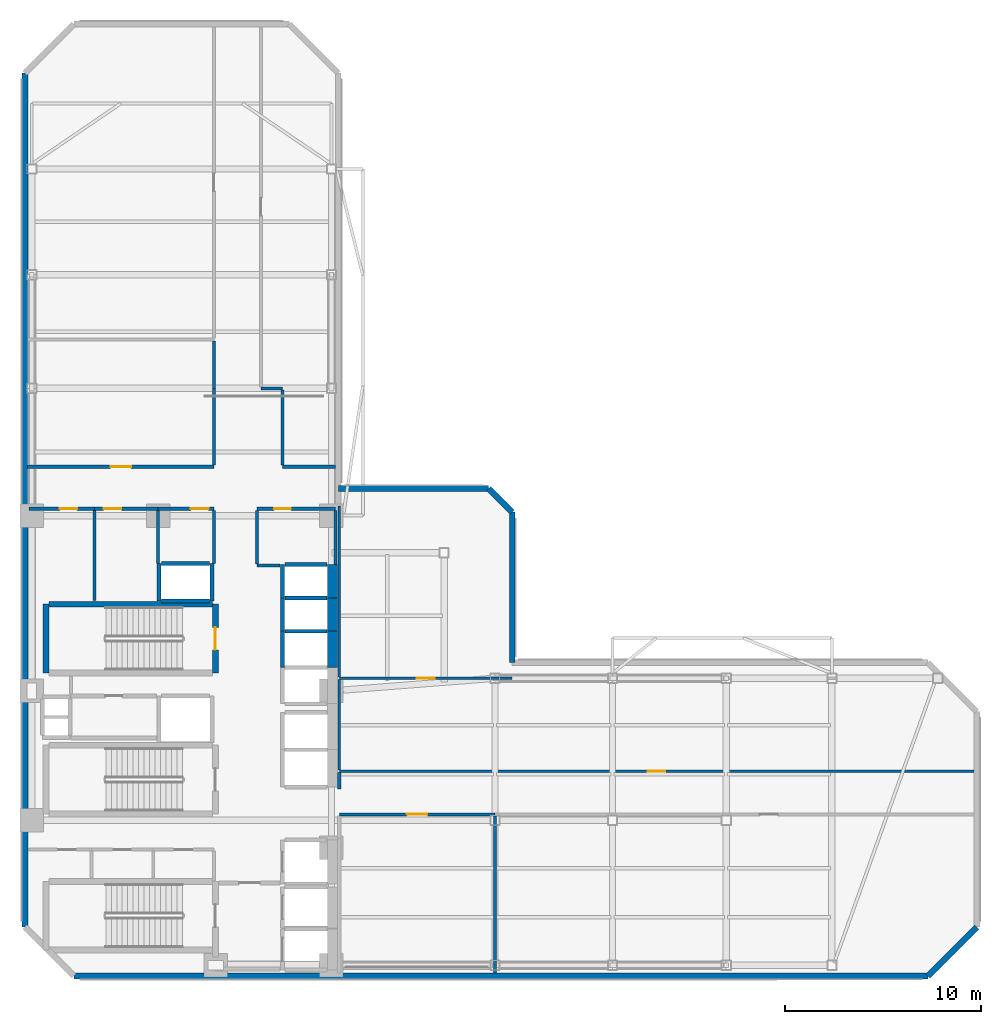
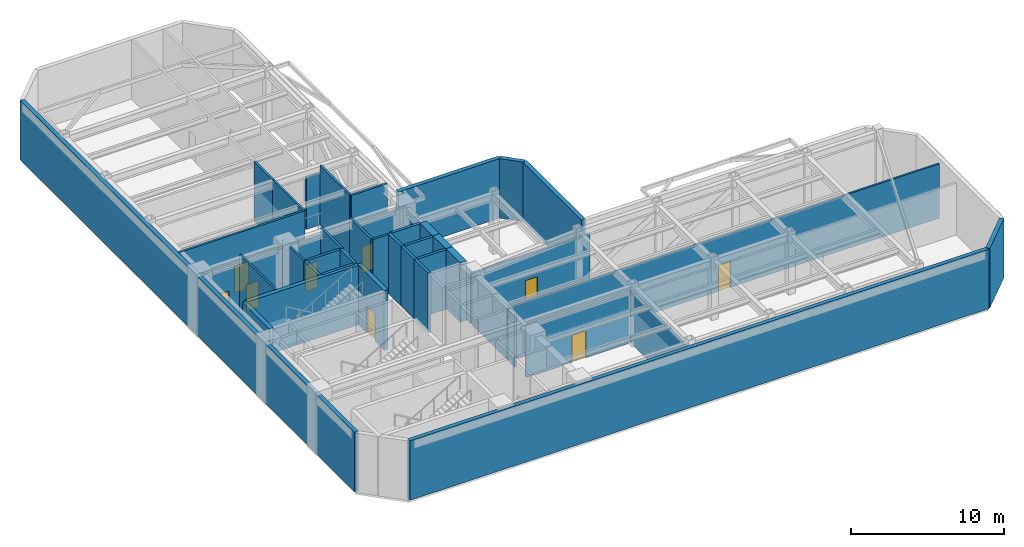
# One storey, part 4 of 9: 45 walls, 9 doors, 9 openings.
"""IFC4 building model written with IfcOpenShell, lengths in metres."""

from ifc_helpers import new_model, si_unit, direction, frame, frame_2d, origin, place, context, subcontext, project, spatial, rectangle, extrude, material, layer, layer_set, type_object, element, fill, save


model = new_model("IFC4")

# Units and contexts
model_context = context("Model", 3, precision=1e-05, world=origin(), true_north=direction((0.0, 1.0)))
body_context = subcontext(model_context, "Body", "Model", "MODEL_VIEW")
ifc_project = project(units=[si_unit("LENGTHUNIT", "METRE"), si_unit("AREAUNIT", "SQUARE_METRE"), si_unit("VOLUMEUNIT", "CUBIC_METRE"), si_unit("PLANEANGLEUNIT", "RADIAN"), si_unit("MASSUNIT", "GRAM", prefix="KILO")], contexts=[model_context])

# Site, building, storey
site_placement = place(None, origin())
site = spatial("IfcSite", under=ifc_project, at=site_placement, CompositionType="ELEMENT")
building_placement = place(site_placement, origin())
building = spatial("IfcBuilding", under=site, at=building_placement, Name="Mawjaban Terraces University", CompositionType="ELEMENT")
storey_placement = place(building_placement, frame((0.0, 0.0, 165.800048828125)))
storey = spatial("IfcBuildingStorey", under=building, at=storey_placement, Name="L40", CompositionType="ELEMENT", Elevation=165.800048828125)

# Walls
ifc_material_1 = material(Name="Concrete C60/75", Category="concrete")
ifc_layer_1 = layer(ifc_material_1, 0.5)
ifc_layer_set_1 = layer_set([ifc_layer_1], Name="Concrete C60/75")
wall_type_1 = type_object("IfcWallType", Name="CoreShearWall_500", PredefinedType="SHEAR", material=ifc_layer_set_1)
wall_1_placement = place(storey_placement, frame((37.699951171875, 15.75, 0.0), z_axis=(0.0, 0.0, 1.0), x_axis=(0.0, 1.0, 0.0)))
element("IfcWall", 1, at=wall_1_placement, inside=storey, type_object=wall_type_1, Name="L40 Lift OL-2 Hoistway Wall East", PredefinedType="SHEAR", context=body_context, shape_type="SweptSolid", body=[
    extrude(rectangle(XDim=1.85009765625, YDim=0.5, at=frame_2d((0.925048828125, 0.0))), origin(), (0.0, 0.0, 1.0), 4.739990234375),
])
for number, where, z_axis, x_axis, name in (
    (2, (37.699951171875, 17.60009765625, 0.0), (0.0, 0.0, 1.0), (0.0, 1.0, 0.0), "L40 Lift PL-M1 Hoistway Wall East"),
    (3, (37.699951171875, 19.300048828125, 0.0), (0.0, 0.0, 1.0), (0.0, 1.0, 0.0), "L40 Lift PL-M2 Hoistway Wall East"),
):
    element("IfcWall", number, at=place(storey_placement, frame(where, z_axis=z_axis, x_axis=x_axis)), inside=storey, type_object=wall_type_1, Name=name, PredefinedType="SHEAR", context=body_context, shape_type="SweptSolid", body=[
        extrude(rectangle(XDim=1.699951171875, YDim=0.5, at=frame_2d((0.85009765625, 0.0))), origin(), (0.0, 0.0, 1.0), 4.739990234375),
    ])

# Wall, opening, door
ifc_material_2 = material(Name="Fire-rated gypsum board on steel stud", Category="steel")
ifc_layer_2 = layer(ifc_material_2, 0.159912109375)
ifc_layer_set_2 = layer_set([ifc_layer_2], Name="Fire-rated gypsum board on steel stud")
wall_type_2 = type_object("IfcWallType", Name="CorridorPartition_160", PredefinedType="PARTITIONING", material=ifc_layer_set_2)
wall_2_placement = place(storey_placement, frame((25.550048828125, 23.85009765625, 0.0), z_axis=(0.0, 0.0, 1.0), x_axis=(-1.0, 0.0, 0.0)))
wall_2 = element("IfcWall", 4, at=wall_2_placement, inside=storey, type_object=wall_type_2, Name="L40 Ablution Room Partition 5", PredefinedType="PARTITIONING", context=body_context, shape_type="SweptSolid", body=[
    extrude(rectangle(XDim=3.35009765625, YDim=0.159912109375, at=frame_2d((1.675048828125, 0.0))), origin(), (0.0, 0.0, 1.0), 4.1240234375),
])
opening_1_placement = place(wall_2_placement, frame((0.885009765625, 0.0, 0.0)))
opening_1 = element("IfcOpeningElement", 5, at=opening_1_placement, cuts=wall_2, Name="Opening ID-088", PredefinedType="OPENING", context=body_context, shape_type="SweptSolid", body=[
    extrude(rectangle(XDim=0.8798828125, YDim=2.10009765625, at=frame_2d((0.43994140625, 1.050048828125))), frame((0.0, 0.08984375, 0.0), z_axis=(0.0, -1.0, 0.0), x_axis=(1.0, 0.0, 0.0)), (0.0, 0.0, 1.0), 0.179931640625),
])
ifc_material_3 = material(Name="Powder-coated steel frame and solid acoustic timber leaf", Category="steel")
door_type_1 = type_object("IfcDoorType", Name="ToiletDoor_880x2100", OperationType="NOTDEFINED", PredefinedType="DOOR", material=ifc_material_3)
door_1_placement = place(opening_1_placement, origin())
door_1 = element("IfcDoor", 6, at=door_1_placement, inside=storey, type_object=door_type_1, Name="L40 Ablution Room Door", OperationType="SINGLE_SWING_LEFT", OverallHeight=2.10009765625, OverallWidth=0.8798828125, PredefinedType="DOOR", context=body_context, shape_type="SweptSolid", body=[
    extrude(rectangle(XDim=0.8798828125, YDim=2.10009765625, at=frame_2d((0.43994140625, 1.050048828125))), frame((0.0, 0.02490234375, 0.0), z_axis=(0.0, -1.0, 0.0), x_axis=(1.0, 0.0, 0.0)), (0.0, 0.0, 1.0), 0.050048828125),
])
fill(opening_1, door_1)

wall_3_placement = place(storey_placement, frame((28.800048828125, 23.85009765625, 0.0), z_axis=(0.0, 0.0, 1.0), x_axis=(-1.0, 0.0, 0.0)))
wall_3 = element("IfcWall", 7, at=wall_3_placement, inside=storey, type_object=wall_type_2, Name="L40 Cleaner Store Partition 7", PredefinedType="PARTITIONING", context=body_context, shape_type="SweptSolid", body=[
    extrude(rectangle(XDim=3.25, YDim=0.159912109375, at=frame_2d((1.625, 0.0))), origin(), (0.0, 0.0, 1.0), 4.1240234375),
])
opening_2_placement = place(wall_3_placement, frame((1.875, 0.0, 0.0)))
opening_2 = element("IfcOpeningElement", 8, at=opening_2_placement, cuts=wall_3, Name="Opening ID-090", PredefinedType="OPENING", context=body_context, shape_type="SweptSolid", body=[
    extrude(rectangle(XDim=0.89990234375, YDim=2.10009765625, at=frame_2d((0.449951171875, 1.050048828125))), frame((0.0, 0.08984375, 0.0), z_axis=(0.0, -1.0, 0.0), x_axis=(1.0, 0.0, 0.0)), (0.0, 0.0, 1.0), 0.179931640625),
])
door_type_2 = type_object("IfcDoorType", Name="OfficeDoor_900x2100", OperationType="NOTDEFINED", PredefinedType="DOOR", material=ifc_material_3)
door_2_placement = place(opening_2_placement, origin())
door_2 = element("IfcDoor", 9, at=door_2_placement, inside=storey, type_object=door_type_2, Name="L40 Cleaner Store Door", OperationType="SINGLE_SWING_RIGHT", OverallHeight=2.10009765625, OverallWidth=0.89990234375, PredefinedType="DOOR", context=body_context, shape_type="SweptSolid", body=[
    extrude(rectangle(XDim=0.89990234375, YDim=2.10009765625, at=frame_2d((0.449951171875, 1.050048828125))), frame((0.0, 0.02490234375, 0.0), z_axis=(0.0, -1.0, 0.0), x_axis=(1.0, 0.0, 0.0)), (0.0, 0.0, 1.0), 0.050048828125),
])
fill(opening_2, door_2)

wall_4_placement = place(storey_placement, frame((31.64990234375, 23.85009765625, 0.0), z_axis=(0.0, 0.0, 1.0), x_axis=(-1.0, 0.0, 0.0)))
wall_4 = element("IfcWall", 10, at=wall_4_placement, inside=storey, type_object=wall_type_2, Name="L40 Control Telemetry Plant Room Partition 9", PredefinedType="PARTITIONING", context=body_context, shape_type="SweptSolid", body=[
    extrude(rectangle(XDim=2.849853515625, YDim=0.159912109375, at=frame_2d((1.4248046875, 0.0))), origin(), (0.0, 0.0, 1.0), 4.1240234375),
])
opening_3_placement = place(wall_4_placement, frame((0.27490234375, 0.0, 0.0)))
opening_3 = element("IfcOpeningElement", 11, at=opening_3_placement, cuts=wall_4, Name="Opening ID-090", PredefinedType="OPENING", context=body_context, shape_type="SweptSolid", body=[
    extrude(rectangle(XDim=0.89990234375, YDim=2.10009765625, at=frame_2d((0.449951171875, 1.050048828125))), frame((0.0, 0.08984375, 0.0), z_axis=(0.0, -1.0, 0.0), x_axis=(1.0, 0.0, 0.0)), (0.0, 0.0, 1.0), 0.179931640625),
])
door_3_placement = place(opening_3_placement, origin())
door_3 = element("IfcDoor", 12, at=door_3_placement, inside=storey, type_object=door_type_2, Name="L40 Control Telemetry Plant Room Door", OperationType="SINGLE_SWING_RIGHT", OverallHeight=2.10009765625, OverallWidth=0.89990234375, PredefinedType="DOOR", context=body_context, shape_type="SweptSolid", body=[
    extrude(rectangle(XDim=0.89990234375, YDim=2.10009765625, at=frame_2d((0.449951171875, 1.050048828125))), frame((0.0, 0.02490234375, 0.0), z_axis=(0.0, -1.0, 0.0), x_axis=(1.0, 0.0, 0.0)), (0.0, 0.0, 1.0), 0.050048828125),
])
fill(opening_3, door_3)

wall_5_placement = place(storey_placement, frame((31.64990234375, 26.0, 0.0), z_axis=(0.0, 0.0, 1.0), x_axis=(-1.0, 0.0, 0.0)))
wall_5 = element("IfcWall", 13, at=wall_5_placement, inside=storey, type_object=wall_type_2, Name="L40 North Core Cross-Corridor Partition 10", PredefinedType="PARTITIONING", context=body_context, shape_type="SweptSolid", body=[
    extrude(rectangle(XDim=9.5048828125, YDim=0.159912109375, at=frame_2d((4.75244140625, 0.0))), origin(), (0.0, 0.0, 1.0), 4.739990234375),
])
opening_4_placement = place(wall_5_placement, frame((4.22705078125, 0.0, 0.0)))
opening_4 = element("IfcOpeningElement", 14, at=opening_4_placement, cuts=wall_5, Name="Opening FD-105", PredefinedType="OPENING", context=body_context, shape_type="SweptSolid", body=[
    extrude(rectangle(XDim=1.050048828125, YDim=2.14990234375, at=frame_2d((0.52490234375, 1.074951171875))), frame((0.0, 0.08984375, 0.0), z_axis=(0.0, -1.0, 0.0), x_axis=(1.0, 0.0, 0.0)), (0.0, 0.0, 1.0), 0.179931640625),
])
ifc_material_4 = material(Name="Powder-coated steel frame and fire-rated steel-faced leaf", Category="steel")
door_type_3 = type_object("IfcDoorType", Name="FireLobbyDoor_1050x2150", OperationType="NOTDEFINED", PredefinedType="DOOR", material=ifc_material_4)
door_4_placement = place(opening_4_placement, origin())
door_4 = element("IfcDoor", 15, at=door_4_placement, inside=storey, type_object=door_type_3, Name="L40 Designated Smoke-Protected Refuge Area North Door", OperationType="SINGLE_SWING_RIGHT", OverallHeight=2.14990234375, OverallWidth=1.050048828125, PredefinedType="DOOR", context=body_context, shape_type="SweptSolid", body=[
    extrude(rectangle(XDim=1.050048828125, YDim=2.14990234375, at=frame_2d((0.52490234375, 1.074951171875))), frame((0.0, 0.02490234375, 0.0), z_axis=(0.0, -1.0, 0.0), x_axis=(1.0, 0.0, 0.0)), (0.0, 0.0, 1.0), 0.050048828125),
])
fill(opening_4, door_4)

# Walls
wall_6_placement = place(storey_placement, frame((35.02001953125, 20.949951171875, 0.0), z_axis=(0.0, 0.0, 1.0), x_axis=(-1.0, 0.0, 0.0)))
element("IfcWall", 16, at=wall_6_placement, inside=storey, type_object=wall_type_2, Name="L40 Passenger Lift Lobby Partition 13", PredefinedType="PARTITIONING", context=body_context, shape_type="SweptSolid", body=[
    extrude(rectangle(XDim=1.169921875, YDim=0.159912109375, at=frame_2d((0.5849609375, 0.0))), origin(), (0.0, 0.0, 1.0), 4.739990234375),
])
wall_7_placement = place(storey_placement, frame((35.14990234375, 30.0, 0.0), z_axis=(0.0, 0.0, 1.0), x_axis=(-1.0, 0.0, 0.0)))
element("IfcWall", 17, at=wall_7_placement, inside=storey, type_object=wall_type_2, Name="L40 North Stair Refuge Vestibule Lobby Partition 14", PredefinedType="PARTITIONING", context=body_context, shape_type="SweptSolid", body=[
    extrude(rectangle(XDim=1.099853515625, YDim=0.159912109375, at=frame_2d((0.5498046875, 0.0))), origin(), (0.0, 0.0, 1.0), 4.1240234375),
])

# Wall, opening, door
wall_8_placement = place(storey_placement, frame((37.85009765625, 23.85009765625, 0.0), z_axis=(0.0, 0.0, 1.0), x_axis=(-1.0, 0.0, 0.0)))
wall_8 = element("IfcWall", 18, at=wall_8_placement, inside=storey, type_object=wall_type_2, Name="L40 Mechanical Chilled Water Riser Room Partition 15", PredefinedType="PARTITIONING", context=body_context, shape_type="SweptSolid", body=[
    extrude(rectangle(XDim=4.0, YDim=0.159912109375, at=frame_2d((2.0, 0.0))), origin(), (0.0, 0.0, 1.0), 4.1240234375),
])
opening_5_placement = place(wall_8_placement, frame((2.27490234375, 0.0, 0.0)))
opening_5 = element("IfcOpeningElement", 19, at=opening_5_placement, cuts=wall_8, Name="Opening FD-085", PredefinedType="OPENING", context=body_context, shape_type="SweptSolid", body=[
    extrude(rectangle(XDim=0.85009765625, YDim=2.10009765625, at=frame_2d((0.425048828125, 1.050048828125))), frame((0.0, 0.08984375, 0.0), z_axis=(0.0, -1.0, 0.0), x_axis=(1.0, 0.0, 0.0)), (0.0, 0.0, 1.0), 0.179931640625),
])
door_type_4 = type_object("IfcDoorType", Name="FireRiserDoor_850x2100", OperationType="NOTDEFINED", PredefinedType="DOOR", material=ifc_material_4)
door_5_placement = place(opening_5_placement, origin())
door_5 = element("IfcDoor", 20, at=door_5_placement, inside=storey, type_object=door_type_4, Name="L40 Mechanical Chilled Water Riser Room Door", OperationType="SINGLE_SWING_LEFT", OverallHeight=2.10009765625, OverallWidth=0.85009765625, PredefinedType="DOOR", context=body_context, shape_type="SweptSolid", body=[
    extrude(rectangle(XDim=0.85009765625, YDim=2.10009765625, at=frame_2d((0.425048828125, 1.050048828125))), frame((0.0, 0.02490234375, 0.0), z_axis=(0.0, -1.0, 0.0), x_axis=(1.0, 0.0, 0.0)), (0.0, 0.0, 1.0), 0.050048828125),
])
fill(opening_5, door_5)

# Wall
wall_9_placement = place(storey_placement, frame((37.85498046875, 26.0, 0.0), z_axis=(0.0, 0.0, 1.0), x_axis=(-1.0, 0.0, 0.0)))
element("IfcWall", 21, at=wall_9_placement, inside=storey, type_object=wall_type_2, Name="L40 North Core Cross-Corridor Partition 16", PredefinedType="PARTITIONING", context=body_context, shape_type="SweptSolid", body=[
    extrude(rectangle(XDim=2.705078125, YDim=0.159912109375, at=frame_2d((1.3525390625, 0.0))), origin(), (0.0, 0.0, 1.0), 4.739990234375),
])

# Wall, opening, door
wall_10_placement = place(storey_placement, frame((46.0, 8.25, 0.0), z_axis=(0.0, 0.0, 1.0), x_axis=(-1.0, 0.0, 0.0)))
wall_10 = element("IfcWall", 22, at=wall_10_placement, inside=storey, type_object=wall_type_2, Name="L40 Designated Smoke-Protected Refuge Area East Partition 17", PredefinedType="PARTITIONING", context=body_context, shape_type="SweptSolid", body=[
    extrude(rectangle(XDim=7.949951171875, YDim=0.159912109375, at=frame_2d((3.97509765625, 0.0))), origin(), (0.0, 0.0, 1.0), 4.1240234375),
])
opening_6_placement = place(wall_10_placement, frame((3.449951171875, 0.0, 0.0)))
opening_6 = element("IfcOpeningElement", 23, at=opening_6_placement, cuts=wall_10, Name="Opening FD-105", PredefinedType="OPENING", context=body_context, shape_type="SweptSolid", body=[
    extrude(rectangle(XDim=1.050048828125, YDim=2.14990234375, at=frame_2d((0.52490234375, 1.074951171875))), frame((0.0, 0.08984375, 0.0), z_axis=(0.0, -1.0, 0.0), x_axis=(1.0, 0.0, 0.0)), (0.0, 0.0, 1.0), 0.179931640625),
])
door_6_placement = place(opening_6_placement, origin())
door_6 = element("IfcDoor", 24, at=door_6_placement, inside=storey, type_object=door_type_3, Name="L40 Designated Smoke-Protected Refuge Area East Door", OperationType="SINGLE_SWING_LEFT", OverallHeight=2.14990234375, OverallWidth=1.050048828125, PredefinedType="DOOR", context=body_context, shape_type="SweptSolid", body=[
    extrude(rectangle(XDim=1.050048828125, YDim=2.14990234375, at=frame_2d((0.52490234375, 1.074951171875))), frame((0.0, 0.02490234375, 0.0), z_axis=(0.0, -1.0, 0.0), x_axis=(1.0, 0.0, 0.0)), (0.0, 0.0, 1.0), 0.050048828125),
])
fill(opening_6, door_6)

# Walls
wall_11_placement = place(storey_placement, frame((31.64990234375, 23.77490234375, 0.0), z_axis=(0.0, 0.0, 1.0), x_axis=(0.0, -1.0, 0.0)))
element("IfcWall", 25, at=wall_11_placement, inside=storey, type_object=wall_type_2, Name="L40 Core North Lift Lobby Partition 28", PredefinedType="PARTITIONING", context=body_context, shape_type="SweptSolid", body=[
    extrude(rectangle(XDim=2.724853515625, YDim=0.159912109375, at=frame_2d((1.3623046875, 0.0))), origin(), (0.0, 0.0, 1.0), 4.739990234375),
])
wall_12_placement = place(storey_placement, frame((31.64990234375, 30.0, 0.0), z_axis=(0.0, 0.0, 1.0), x_axis=(0.0, -1.0, 0.0)))
element("IfcWall", 26, at=wall_12_placement, inside=storey, type_object=wall_type_2, Name="L40 North Stair Refuge Vestibule Lobby Partition 29", PredefinedType="PARTITIONING", context=body_context, shape_type="SweptSolid", body=[
    extrude(rectangle(XDim=3.925048828125, YDim=0.159912109375, at=frame_2d((1.96240234375, 0.0))), origin(), (0.0, 0.0, 1.0), 4.739990234375),
])
wall_13_placement = place(storey_placement, frame((31.64990234375, 30.0, 0.0), z_axis=(0.0, 0.0, 1.0), x_axis=(0.0, 1.0, 0.0)))
element("IfcWall", 27, at=wall_13_placement, inside=storey, type_object=wall_type_2, Name="L40 Designated Smoke-Protected Refuge Area North Partition 30", PredefinedType="PARTITIONING", context=body_context, shape_type="SweptSolid", body=[
    extrude(rectangle(XDim=2.425048828125, YDim=0.159912109375, at=frame_2d((1.21240234375, 0.0))), origin(), (0.0, 0.0, 1.0), 4.739990234375),
])
wall_14_placement = place(storey_placement, frame((33.85009765625, 21.02490234375, 0.0), z_axis=(0.0, 0.0, 1.0), x_axis=(0.0, 1.0, 0.0)))
element("IfcWall", 28, at=wall_14_placement, inside=storey, type_object=wall_type_2, Name="L40 Core North Lift Lobby Partition 32", PredefinedType="PARTITIONING", context=body_context, shape_type="SweptSolid", body=[
    extrude(rectangle(XDim=2.75, YDim=0.159912109375, at=frame_2d((1.375, 0.0))), origin(), (0.0, 0.0, 1.0), 4.739990234375),
])
wall_15_placement = place(storey_placement, frame((35.14990234375, 26.074951171875, 0.0), z_axis=(0.0, 0.0, 1.0), x_axis=(0.0, 1.0, 0.0)))
element("IfcWall", 29, at=wall_15_placement, inside=storey, type_object=wall_type_2, Name="L40 North Stair Refuge Vestibule Lobby Partition 34", PredefinedType="PARTITIONING", context=body_context, shape_type="SweptSolid", body=[
    extrude(rectangle(XDim=3.85009765625, YDim=0.159912109375, at=frame_2d((1.925048828125, 0.0))), origin(), (0.0, 0.0, 1.0), 4.739990234375),
])
wall_16_placement = place(storey_placement, frame((37.85009765625, 21.0, 0.0), z_axis=(0.0, 0.0, 1.0), x_axis=(0.0, 1.0, 0.0)))
element("IfcWall", 30, at=wall_16_placement, inside=storey, type_object=wall_type_2, Name="L40 Mechanical Chilled Water Riser Room Partition 35", PredefinedType="PARTITIONING", context=body_context, shape_type="SweptSolid", body=[
    extrude(rectangle(XDim=2.77490234375, YDim=0.159912109375, at=frame_2d((1.387451171875, 0.0))), origin(), (0.0, 0.0, 1.0), 4.1240234375),
])
wall_17_placement = place(storey_placement, frame((38.050048828125, 10.382080078125, 0.0), z_axis=(0.0, 0.0, 1.0), x_axis=(0.0, -1.0, 0.0)))
element("IfcWall", 31, at=wall_17_placement, inside=storey, type_object=wall_type_2, Name="L40 Mechanical Plant Service Corridor East Partition 38", PredefinedType="PARTITIONING", context=body_context, shape_type="SweptSolid", body=[
    extrude(rectangle(XDim=0.83203125, YDim=0.159912109375, at=frame_2d((0.416015625, 0.0))), origin(), (0.0, 0.0, 1.0), 4.1240234375),
])
wall_18_placement = place(storey_placement, frame((46.0, 0.14501953125, 0.0), z_axis=(0.0, 0.0, 1.0), x_axis=(0.0, 1.0, 0.0)))
element("IfcWall", 32, at=wall_18_placement, inside=storey, type_object=wall_type_2, Name="L40 Designated Smoke-Protected Refuge Area East Partition 41", PredefinedType="PARTITIONING", context=body_context, shape_type="SweptSolid", body=[
    extrude(rectangle(XDim=8.030029296875, YDim=0.159912109375, at=frame_2d((4.01513671875, 0.0))), origin(), (0.0, 0.0, 1.0), 4.1240234375),
])
ifc_material_5 = material(Name="Insulated terracotta rainscreen on concrete backup C40/50", Category="masonry")
ifc_layer_3 = layer(ifc_material_5, 0.300048828125)
ifc_layer_set_3 = layer_set([ifc_layer_3], Name="Insulated terracotta rainscreen on concrete backup C40/50")
wall_type_3 = type_object("IfcWallType", Name="ExtTerracottaWall_300", PredefinedType="SOLIDWALL", material=ifc_layer_set_3)
wall_19_placement = place(storey_placement, frame((24.5, 0.0, 0.0), z_axis=(0.0, 0.0, 1.0), x_axis=(1.0, 0.0, 0.0)))
element("IfcWall", 33, at=wall_19_placement, inside=storey, type_object=wall_type_3, Name="L40 Exterior Terracotta Wall 1", PredefinedType="SOLIDWALL", context=body_context, shape_type="SweptSolid", body=[
    extrude(rectangle(XDim=43.60009765625, YDim=0.300048828125, at=frame_2d((21.800048828125, 0.0))), origin(), (0.0, 0.0, 1.0), 4.739990234375),
])
wall_20_placement = place(storey_placement, frame((68.10009765625, 0.0, 0.0), z_axis=(0.0, 0.0, 1.0), x_axis=(0.707106781187, 0.707106781187, 0.0)))
element("IfcWall", 34, at=wall_20_placement, inside=storey, type_object=wall_type_3, Name="L40 Exterior Terracotta Wall 2", PredefinedType="SOLIDWALL", context=body_context, shape_type="SweptSolid", body=[
    extrude(rectangle(XDim=3.53564453125, YDim=0.300048828125, at=frame_2d((1.767822265625, 0.0))), origin(), (0.0, 0.0, 1.0), 4.739990234375),
])
wall_21_placement = place(storey_placement, frame((46.8798828125, 16.0, 0.0), z_axis=(0.0, 0.0, 1.0), x_axis=(0.0, 1.0, 0.0)))
element("IfcWall", 35, at=wall_21_placement, inside=storey, type_object=wall_type_3, Name="L40 Exterior Terracotta Wall 6", PredefinedType="SOLIDWALL", context=body_context, shape_type="SweptSolid", body=[
    extrude(rectangle(XDim=7.679931640625, YDim=0.300048828125, at=frame_2d((3.83984375, 0.0))), origin(), (0.0, 0.0, 1.0), 4.739990234375),
])
wall_22_placement = place(storey_placement, frame((46.8798828125, 23.679931640625, 0.0), z_axis=(0.0, 0.0, 1.0), x_axis=(-0.707106781187, 0.707106781187, 0.0)))
element("IfcWall", 36, at=wall_22_placement, inside=storey, type_object=wall_type_3, Name="L40 Exterior Terracotta Wall 7", PredefinedType="SOLIDWALL", context=body_context, shape_type="SweptSolid", body=[
    extrude(rectangle(XDim=1.697021484375, YDim=0.300048828125, at=frame_2d((0.8486328125, 0.0))), origin(), (0.0, 0.0, 1.0), 4.739990234375),
])
wall_23_placement = place(storey_placement, frame((45.679931640625, 24.8798828125, 0.0), z_axis=(0.0, 0.0, 1.0), x_axis=(-1.0, 0.0, 0.0)))
element("IfcWall", 37, at=wall_23_placement, inside=storey, type_object=wall_type_3, Name="L40 Exterior Terracotta Wall 8", PredefinedType="SOLIDWALL", context=body_context, shape_type="SweptSolid", body=[
    extrude(rectangle(XDim=7.679931640625, YDim=0.300048828125, at=frame_2d((3.83984375, 0.0))), origin(), (0.0, 0.0, 1.0), 4.739990234375),
])
wall_24_placement = place(storey_placement, frame((22.0, 46.10009765625, 0.0), z_axis=(0.0, 0.0, 1.0), x_axis=(0.0, -1.0, 0.0)))
element("IfcWall", 38, at=wall_24_placement, inside=storey, type_object=wall_type_3, Name="L40 Exterior Terracotta Wall 13", PredefinedType="SOLIDWALL", context=body_context, shape_type="SweptSolid", body=[
    extrude(rectangle(XDim=43.60009765625, YDim=0.300048828125, at=frame_2d((21.800048828125, 0.0))), origin(), (0.0, 0.0, 1.0), 4.739990234375),
])
ifc_material_6 = material(Name="Concrete C40/50", Category="concrete")
ifc_layer_4 = layer(ifc_material_6, 0.199951171875)
ifc_layer_set_4 = layer_set([ifc_layer_4], Name="Concrete C40/50")
wall_type_4 = type_object("IfcWallType", Name="FireLobbyWall_200", PredefinedType="SOLIDWALL", material=ifc_layer_set_4)
wall_25_placement = place(storey_placement, frame((35.14990234375, 17.60009765625, 0.0), z_axis=(0.0, 0.0, 1.0), x_axis=(0.0, -1.0, 0.0)))
element("IfcWall", 39, at=wall_25_placement, inside=storey, type_object=wall_type_4, Name="L40 Lift OL-2 Hoistway Wall West", PredefinedType="SOLIDWALL", context=body_context, shape_type="SweptSolid", body=[
    extrude(rectangle(XDim=1.85009765625, YDim=0.199951171875, at=frame_2d((0.925048828125, 0.0))), origin(), (0.0, 0.0, 1.0), 4.739990234375),
])
wall_26_placement = place(storey_placement, frame((37.419921875, 17.60009765625, 0.0), z_axis=(0.0, 0.0, 1.0), x_axis=(-1.0, 0.0, 0.0)))
element("IfcWall", 40, at=wall_26_placement, inside=storey, type_object=wall_type_4, Name="L40 Lift OL-2 Hoistway Wall North", PredefinedType="SOLIDWALL", context=body_context, shape_type="SweptSolid", body=[
    extrude(rectangle(XDim=2.139892578125, YDim=0.199951171875, at=frame_2d((1.06982421875, 0.0))), origin(), (0.0, 0.0, 1.0), 4.739990234375),
])
wall_27_placement = place(storey_placement, frame((35.14990234375, 19.300048828125, 0.0), z_axis=(0.0, 0.0, 1.0), x_axis=(0.0, -1.0, 0.0)))
element("IfcWall", 41, at=wall_27_placement, inside=storey, type_object=wall_type_4, Name="L40 Lift PL-M1 Hoistway Wall West", PredefinedType="SOLIDWALL", context=body_context, shape_type="SweptSolid", body=[
    extrude(rectangle(XDim=1.699951171875, YDim=0.199951171875, at=frame_2d((0.85009765625, 0.0))), origin(), (0.0, 0.0, 1.0), 4.739990234375),
])
wall_28_placement = place(storey_placement, frame((37.419921875, 19.300048828125, 0.0), z_axis=(0.0, 0.0, 1.0), x_axis=(-1.0, 0.0, 0.0)))
element("IfcWall", 42, at=wall_28_placement, inside=storey, type_object=wall_type_4, Name="L40 Lift PL-M1 Hoistway Wall North", PredefinedType="SOLIDWALL", context=body_context, shape_type="SweptSolid", body=[
    extrude(rectangle(XDim=2.139892578125, YDim=0.199951171875, at=frame_2d((1.06982421875, 0.0))), origin(), (0.0, 0.0, 1.0), 4.739990234375),
])
wall_29_placement = place(storey_placement, frame((35.14990234375, 21.0, 0.0), z_axis=(0.0, 0.0, 1.0), x_axis=(0.0, -1.0, 0.0)))
element("IfcWall", 43, at=wall_29_placement, inside=storey, type_object=wall_type_4, Name="L40 Lift PL-M2 Hoistway Wall West", PredefinedType="SOLIDWALL", context=body_context, shape_type="SweptSolid", body=[
    extrude(rectangle(XDim=1.699951171875, YDim=0.199951171875, at=frame_2d((0.85009765625, 0.0))), origin(), (0.0, 0.0, 1.0), 4.739990234375),
])
wall_30_placement = place(storey_placement, frame((37.419921875, 21.0, 0.0), z_axis=(0.0, 0.0, 1.0), x_axis=(-1.0, 0.0, 0.0)))
element("IfcWall", 44, at=wall_30_placement, inside=storey, type_object=wall_type_4, Name="L40 Lift PL-M2 Hoistway Wall North", PredefinedType="SOLIDWALL", context=body_context, shape_type="SweptSolid", body=[
    extrude(rectangle(XDim=2.139892578125, YDim=0.199951171875, at=frame_2d((1.06982421875, 0.0))), origin(), (0.0, 0.0, 1.0), 4.739990234375),
])
for number, where, z_axis, x_axis, name in (
    (45, (28.85009765625, 21.050048828125, 0.0), (0.0, 0.0, 1.0), (0.0, -1.0, 0.0), "L40 Lift PL-M3 Hoistway Wall West"),
    (46, (31.550048828125, 19.14990234375, 0.0), (0.0, 0.0, 1.0), (0.0, 1.0, 0.0), "L40 Lift PL-M3 Hoistway Wall East"),
):
    element("IfcWall", number, at=place(storey_placement, frame(where, z_axis=z_axis, x_axis=x_axis)), inside=storey, type_object=wall_type_4, Name=name, PredefinedType="SOLIDWALL", context=body_context, shape_type="SweptSolid", body=[
        extrude(rectangle(XDim=1.900146484375, YDim=0.199951171875, at=frame_2d((0.9501953125, 0.0))), origin(), (0.0, 0.0, 1.0), 4.739990234375),
    ])
for number, where, z_axis, x_axis, name in (
    (47, (28.97998046875, 19.14990234375, 0.0), (0.0, 0.0, 1.0), (1.0, 0.0, 0.0), "L40 Lift PL-M3 Hoistway Wall South"),
    (48, (31.419921875, 21.050048828125, 0.0), (0.0, 0.0, 1.0), (-1.0, 0.0, 0.0), "L40 Lift PL-M3 Hoistway Wall North"),
):
    element("IfcWall", number, at=place(storey_placement, frame(where, z_axis=z_axis, x_axis=x_axis)), inside=storey, type_object=wall_type_4, Name=name, PredefinedType="SOLIDWALL", context=body_context, shape_type="SweptSolid", body=[
        extrude(rectangle(XDim=2.43994140625, YDim=0.199951171875, at=frame_2d((1.219970703125, 0.0))), origin(), (0.0, 0.0, 1.0), 4.739990234375),
    ])

# Wall, opening, door
ifc_material_7 = material(Name="Moisture-resistant gypsum board on steel stud", Category="steel")
ifc_layer_5 = layer(ifc_material_7, 0.14501953125)
ifc_layer_set_5 = layer_set([ifc_layer_5], Name="Moisture-resistant gypsum board on steel stud")
wall_type_5 = type_object("IfcWallType", Name="LabPartition_145", PredefinedType="PARTITIONING", material=ifc_layer_set_5)
wall_31_placement = place(storey_placement, frame((46.8798828125, 15.199951171875, 0.0), z_axis=(0.0, 0.0, 1.0), x_axis=(-1.0, 0.0, 0.0)))
wall_31 = element("IfcWall", 49, at=wall_31_placement, inside=storey, type_object=wall_type_5, Name="L40 Heat Recovery Ventilation Fan Room Partition 19", PredefinedType="PARTITIONING", context=body_context, shape_type="SweptSolid", body=[
    extrude(rectangle(XDim=8.829833984375, YDim=0.14501953125, at=frame_2d((4.4150390625, 0.0))), origin(), (0.0, 0.0, 1.0), 4.1240234375),
])
opening_7_placement = place(wall_31_placement, frame((3.965087890625, 0.0, 0.0)))
opening_7 = element("IfcOpeningElement", 50, at=opening_7_placement, cuts=wall_31, Name="Opening ID-090", PredefinedType="OPENING", context=body_context, shape_type="SweptSolid", body=[
    extrude(rectangle(XDim=0.89990234375, YDim=2.10009765625, at=frame_2d((0.449951171875, 1.050048828125))), frame((0.0, 0.08251953125, 0.0), z_axis=(0.0, -1.0, 0.0), x_axis=(1.0, 0.0, 0.0)), (0.0, 0.0, 1.0), 0.1650390625),
])
door_7_placement = place(opening_7_placement, origin())
door_7 = element("IfcDoor", 51, at=door_7_placement, inside=storey, type_object=door_type_2, Name="L40 Booster Pump and Break Tank Plant Room Door", OperationType="SINGLE_SWING_LEFT", OverallHeight=2.10009765625, OverallWidth=0.89990234375, PredefinedType="DOOR", context=body_context, shape_type="SweptSolid", body=[
    extrude(rectangle(XDim=0.89990234375, YDim=2.10009765625, at=frame_2d((0.449951171875, 1.050048828125))), frame((0.0, 0.02490234375, 0.0), z_axis=(0.0, -1.0, 0.0), x_axis=(1.0, 0.0, 0.0)), (0.0, 0.0, 1.0), 0.050048828125),
])
fill(opening_7, door_7)

wall_32_placement = place(storey_placement, frame((70.455078125, 10.449951171875, 0.0), z_axis=(0.0, 0.0, 1.0), x_axis=(-1.0, 0.0, 0.0)))
wall_32 = element("IfcWall", 52, at=wall_32_placement, inside=storey, type_object=wall_type_5, Name="L40 Mechanical Plant Service Corridor East Partition 21", PredefinedType="PARTITIONING", context=body_context, shape_type="SweptSolid", body=[
    extrude(rectangle(XDim=32.405029296875, YDim=0.14501953125, at=frame_2d((16.20263671875, 0.0))), origin(), (0.0, 0.0, 1.0), 4.326904296875),
])
opening_8_placement = place(wall_32_placement, frame((15.7529296875, 0.0, 0.0)))
opening_8 = element("IfcOpeningElement", 53, at=opening_8_placement, cuts=wall_32, Name="Opening ID-090", PredefinedType="OPENING", context=body_context, shape_type="SweptSolid", body=[
    extrude(rectangle(XDim=0.89990234375, YDim=2.10009765625, at=frame_2d((0.449951171875, 1.050048828125))), frame((0.0, 0.08251953125, 0.0), z_axis=(0.0, -1.0, 0.0), x_axis=(1.0, 0.0, 0.0)), (0.0, 0.0, 1.0), 0.1650390625),
])
door_8_placement = place(opening_8_placement, origin())
door_8 = element("IfcDoor", 54, at=door_8_placement, inside=storey, type_object=door_type_2, Name="L40 Heat Recovery Ventilation Fan Room Door", OperationType="SINGLE_SWING_RIGHT", OverallHeight=2.10009765625, OverallWidth=0.89990234375, PredefinedType="DOOR", context=body_context, shape_type="SweptSolid", body=[
    extrude(rectangle(XDim=0.89990234375, YDim=2.10009765625, at=frame_2d((0.449951171875, 1.050048828125))), frame((0.0, 0.02490234375, 0.0), z_axis=(0.0, -1.0, 0.0), x_axis=(1.0, 0.0, 0.0)), (0.0, 0.0, 1.0), 0.050048828125),
])
fill(opening_8, door_8)

# Walls
wall_33_placement = place(storey_placement, frame((28.800048828125, 23.77490234375, 0.0), z_axis=(0.0, 0.0, 1.0), x_axis=(0.0, -1.0, 0.0)))
element("IfcWall", 55, at=wall_33_placement, inside=storey, type_object=wall_type_5, Name="L40 Control Telemetry Plant Room Partition 26", PredefinedType="PARTITIONING", context=body_context, shape_type="SweptSolid", body=[
    extrude(rectangle(XDim=2.724853515625, YDim=0.14501953125, at=frame_2d((1.3623046875, 0.0))), origin(), (0.0, 0.0, 1.0), 4.739990234375),
])
wall_34_placement = place(storey_placement, frame((38.050048828125, 15.132080078125, 0.0), z_axis=(0.0, 0.0, 1.0), x_axis=(0.0, -1.0, 0.0)))
element("IfcWall", 56, at=wall_34_placement, inside=storey, type_object=wall_type_5, Name="L40 Heat Recovery Ventilation Fan Room Partition 39", PredefinedType="PARTITIONING", context=body_context, shape_type="SweptSolid", body=[
    extrude(rectangle(XDim=4.614013671875, YDim=0.14501953125, at=frame_2d((2.30712890625, 0.0))), origin(), (0.0, 0.0, 1.0), 4.1240234375),
])
wall_35_placement = place(storey_placement, frame((38.050048828125, 24.0, 0.0), z_axis=(0.0, 0.0, 1.0), x_axis=(0.0, -1.0, 0.0)))
element("IfcWall", 57, at=wall_35_placement, inside=storey, type_object=wall_type_5, Name="L40 Booster Pump and Break Tank Plant Room Partition 40", PredefinedType="PARTITIONING", context=body_context, shape_type="SweptSolid", body=[
    extrude(rectangle(XDim=8.73193359375, YDim=0.14501953125, at=frame_2d((4.365966796875, 0.0))), origin(), (0.0, 0.0, 1.0), 4.1240234375),
])
ifc_layer_6 = layer(ifc_material_1, 0.300048828125)
ifc_layer_set_6 = layer_set([ifc_layer_6], Name="Concrete C60/75")
wall_type_6 = type_object("IfcWallType", Name="StairShaftWall_300", PredefinedType="SHEAR", material=ifc_layer_set_6)
wall_36_placement = place(storey_placement, frame((31.580078125, 18.97998046875, 0.0), z_axis=(0.0, 0.0, 1.0), x_axis=(-1.0, 0.0, 0.0)))
element("IfcWall", 58, at=wall_36_placement, inside=storey, type_object=wall_type_6, Name="L40 ST-2 Stair Shaft Wall 1", PredefinedType="SHEAR", context=body_context, shape_type="SweptSolid", body=[
    extrude(rectangle(XDim=8.360107421875, YDim=0.300048828125, at=frame_2d((4.18017578125, 0.0))), origin(), (0.0, 0.0, 1.0), 4.739990234375),
])
wall_37_placement = place(storey_placement, frame((23.070068359375, 18.97998046875, 0.0), z_axis=(0.0, 0.0, 1.0), x_axis=(0.0, -1.0, 0.0)))
element("IfcWall", 59, at=wall_37_placement, inside=storey, type_object=wall_type_6, Name="L40 ST-2 Stair Shaft Wall 2", PredefinedType="SHEAR", context=body_context, shape_type="SweptSolid", body=[
    extrude(rectangle(XDim=3.510009765625, YDim=0.300048828125, at=frame_2d((1.7548828125, 0.0))), origin(), (0.0, 0.0, 1.0), 4.739990234375),
])

# Wall, opening, door
wall_38_placement = place(storey_placement, frame((31.72998046875, 15.469970703125, 0.0), z_axis=(0.0, 0.0, 1.0), x_axis=(0.0, 1.0, 0.0)))
wall_38 = element("IfcWall", 60, at=wall_38_placement, inside=storey, type_object=wall_type_6, Name="L40 ST-2 Stair Shaft Wall 4", PredefinedType="SHEAR", context=body_context, shape_type="SweptSolid", body=[
    extrude(rectangle(XDim=3.510009765625, YDim=0.300048828125, at=frame_2d((1.7548828125, 0.0))), origin(), (0.0, 0.0, 1.0), 4.739990234375),
])
opening_9_placement = place(wall_38_placement, frame((1.179931640625, 0.0, 0.0)))
opening_9 = element("IfcOpeningElement", 61, at=opening_9_placement, cuts=wall_38, Name="Opening FD-115", PredefinedType="OPENING", context=body_context, shape_type="SweptSolid", body=[
    extrude(rectangle(XDim=1.14990234375, YDim=2.14990234375, at=frame_2d((0.574951171875, 1.074951171875))), frame((0.0, 0.159912109375, 0.0), z_axis=(0.0, -1.0, 0.0), x_axis=(1.0, 0.0, 0.0)), (0.0, 0.0, 1.0), 0.320068359375),
])
door_type_5 = type_object("IfcDoorType", Name="FireStairDoor_1150x2150", OperationType="NOTDEFINED", PredefinedType="DOOR", material=ifc_material_4)
door_9_placement = place(opening_9_placement, origin())
door_9 = element("IfcDoor", 62, at=door_9_placement, inside=storey, type_object=door_type_5, Name="L40 ST-2 Pressurised Stair Fire Door", OperationType="SINGLE_SWING_RIGHT", OverallHeight=2.14990234375, OverallWidth=1.14990234375, PredefinedType="DOOR", context=body_context, shape_type="SweptSolid", body=[
    extrude(rectangle(XDim=1.14990234375, YDim=2.14990234375, at=frame_2d((0.574951171875, 1.074951171875))), frame((0.0, 0.02490234375, 0.0), z_axis=(0.0, -1.0, 0.0), x_axis=(1.0, 0.0, 0.0)), (0.0, 0.0, 1.0), 0.050048828125),
])
fill(opening_9, door_9)

# Wall
ifc_material_8 = material(Name="Cement-board wet-room partition", Category="masonry")
ifc_layer_7 = layer(ifc_material_8, 0.135009765625)
ifc_layer_set_7 = layer_set([ifc_layer_7], Name="Cement-board wet-room partition")
wall_type_7 = type_object("IfcWallType", Name="WetRoomPartition_135", PredefinedType="PARTITIONING", material=ifc_layer_set_7)
wall_39_placement = place(storey_placement, frame((25.550048828125, 19.159912109375, 0.0), z_axis=(0.0, 0.0, 1.0), x_axis=(0.0, 1.0, 0.0)))
element("IfcWall", 63, at=wall_39_placement, inside=storey, type_object=wall_type_7, Name="L40 Ablution Room Partition 24", PredefinedType="PARTITIONING", context=body_context, shape_type="SweptSolid", body=[
    extrude(rectangle(XDim=4.614990234375, YDim=0.135009765625, at=frame_2d((2.3076171875, 0.0))), origin(), (0.0, 0.0, 1.0), 4.739990234375),
])

save(model, "model.ifc")
